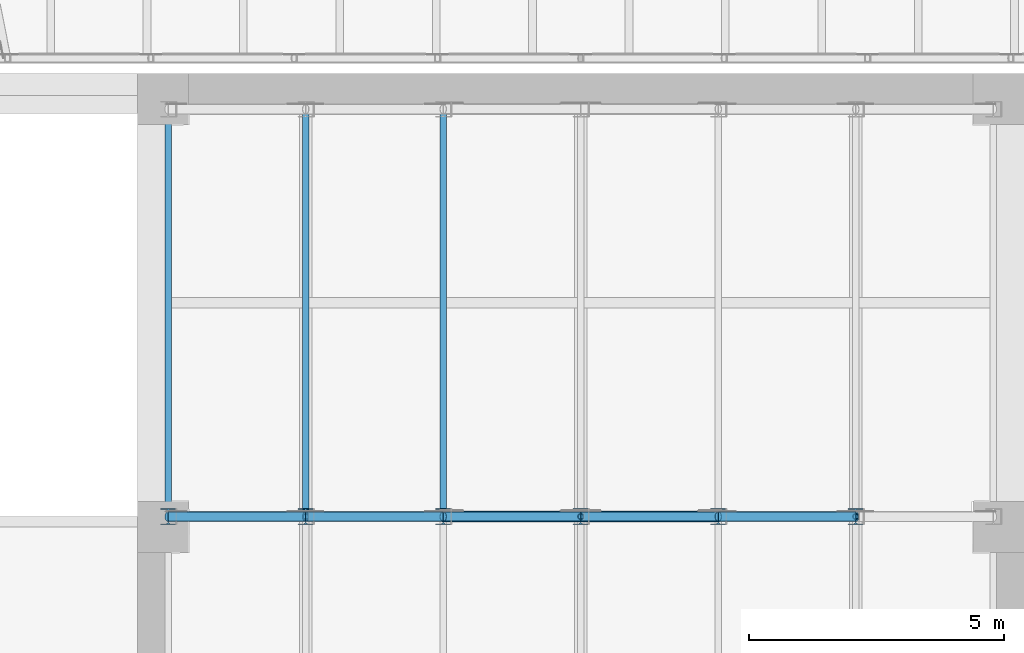
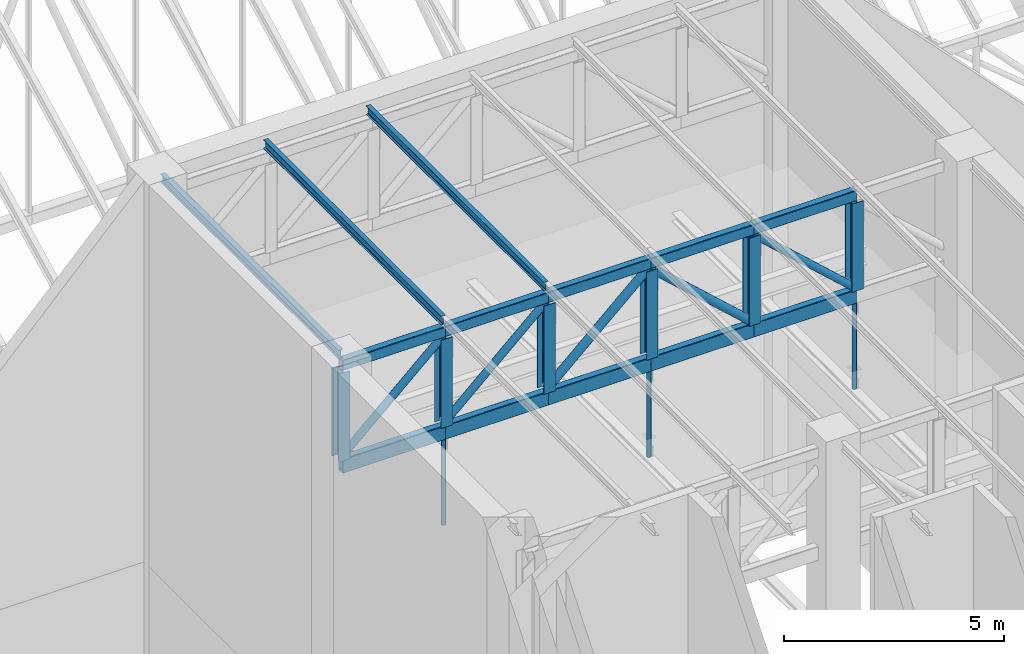
# One storey, part 8 of 68: 17 members, 10 beams.
"""IFC4 building model written with IfcOpenShell, lengths in metres."""

from ifc_helpers import new_model, si_unit, direction, frame, origin, origin_2d, place, context, subcontext, project, spatial, hollow_rectangle, hollow_circle, i_section, extrude, material, material_profile, profile_set, type_object, element, save


model = new_model("IFC4")

# Units and contexts
model_context = context("Model", 3, precision=1e-05, world=origin(), true_north=direction((0.0, 1.0)))
body_context = subcontext(model_context, "Body", "Model", "MODEL_VIEW")
ifc_project = project(units=[si_unit("LENGTHUNIT", "METRE"), si_unit("AREAUNIT", "SQUARE_METRE"), si_unit("VOLUMEUNIT", "CUBIC_METRE"), si_unit("PLANEANGLEUNIT", "RADIAN"), si_unit("MASSUNIT", "GRAM", prefix="KILO")], contexts=[model_context])

# Site, building, storey
site_placement = place(None, origin())
site = spatial("IfcSite", under=ifc_project, at=site_placement, CompositionType="ELEMENT")
building_placement = place(site_placement, origin())
building = spatial("IfcBuilding", under=site, at=building_placement, Name="Larchfold Concert Hall", CompositionType="ELEMENT")
storey_placement = place(building_placement, frame((0.0, 0.0, 28.800048828125)))
storey = spatial("IfcBuildingStorey", under=building, at=storey_placement, Name="L06", CompositionType="ELEMENT", Elevation=28.800048828125)

# Members
ifc_material_1 = material(Name="Steel S355J2H", Category="steel")
ifc_material_profile_1 = material_profile(ifc_material_1, hollow_circle(Radius=0.05712890625, WallThickness=0.00634765625, at=origin_2d()))
ifc_profile_set_1 = profile_set([ifc_material_profile_1], Name="Steel S355J2H")
member_type_1 = type_object("IfcMemberType", Name="Hanger CHS 114.3x6.3", PredefinedType="BRACE", material=ifc_profile_set_1)
for number, where, z_axis, x_axis, name in (
    (1, (37.199951171875, 51.0, 8.5), (0.0, 0.0, 1.0), (1.0, 0.0, 0.0), "Member SG3751"),
    (2, (42.60009765625, 51.0, 8.5), (0.0, 0.0, 1.0), (1.0, 0.0, 0.0), "Member SG4251"),
    (3, (48.0, 51.0, 8.5), (0.0, 0.0, 1.0), (1.0, 0.0, 0.0), "Member SG4851"),
):
    element("IfcMember", number, at=place(storey_placement, frame(where, z_axis=z_axis, x_axis=x_axis)), inside=storey, type_object=member_type_1, Name=name, PredefinedType="BRACE", context=body_context, shape_type="SweptSolid", body=[
        extrude(hollow_circle(Radius=0.05712890625, WallThickness=0.00634765625, at=origin_2d()), origin(), (0.0, 0.0, 1.0), 2.39990234375),
    ])
ifc_material_2 = material(Name="Steel S355", Category="steel")
ifc_material_profile_2 = material_profile(ifc_material_2, i_section(OverallWidth=0.1201171875, OverallDepth=0.239990234375, WebThickness=0.006103515625, FlangeThickness=0.009765625, FilletRadius=0.014892578125, at=origin_2d()))
ifc_profile_set_2 = profile_set([ifc_material_profile_2], Name="Steel S355")
member_type_2 = type_object("IfcMemberType", Name="Purlin IPE 240", PredefinedType="PURLIN", material=ifc_profile_set_2)
for number, where, z_axis, x_axis, name in (
    (4, (34.5, 51.0, 14.169921875), (0.0, 1.0, 0.0), (-1.0, 0.0, 0.0), "Member SP15"),
    (5, (37.199951171875, 51.0, 14.169921875), (0.0, 1.0, 0.0), (-1.0, 0.0, 0.0), "Member SP16"),
    (6, (39.89990234375, 51.0, 14.169921875), (0.0, 1.0, 0.0), (-1.0, 0.0, 0.0), "Member SP17"),
):
    element("IfcMember", number, at=place(storey_placement, frame(where, z_axis=z_axis, x_axis=x_axis)), inside=storey, type_object=member_type_2, Name=name, PredefinedType="PURLIN", context=body_context, shape_type="SweptSolid", body=[
        extrude(i_section(OverallWidth=0.1201171875, OverallDepth=0.239990234375, WebThickness=0.006103515625, FlangeThickness=0.009765625, FilletRadius=0.014892578125, at=origin_2d()), origin(), (0.0, 0.0, 1.0), 8.10009765625),
    ])

# Beams
ifc_material_3 = material(Name="Steel S355J2H", Category="steel")
ifc_material_profile_3 = material_profile(ifc_material_3, hollow_rectangle(XDim=0.199951171875, YDim=0.300048828125, WallThickness=0.012451171875, InnerFilletRadius=0.018798828125, OuterFilletRadius=0.03125, at=origin_2d()))
ifc_profile_set_3 = profile_set([ifc_material_profile_3], Name="Steel S355J2H")
beam_type_1 = type_object("IfcBeamType", Name="Truss chord RHS 300x200x12.5", PredefinedType="BEAM", material=ifc_profile_set_3)
for number, where, z_axis, x_axis, name in (
    (7, (34.5, 51.0, 13.89990234375), (1.0, 0.0, 0.0), (0.0, 1.0, 0.0), "Beam SR3T01"),
    (8, (37.199951171875, 51.0, 13.89990234375), (1.0, 0.0, 0.0), (0.0, 1.0, 0.0), "Beam SR3T02"),
):
    element("IfcBeam", number, at=place(storey_placement, frame(where, z_axis=z_axis, x_axis=x_axis)), inside=storey, type_object=beam_type_1, Name=name, PredefinedType="BEAM", context=body_context, shape_type="SweptSolid", body=[
        extrude(hollow_rectangle(XDim=0.199951171875, YDim=0.300048828125, WallThickness=0.012451171875, InnerFilletRadius=0.018798828125, OuterFilletRadius=0.03125, at=origin_2d()), origin(), (0.0, 0.0, 1.0), 2.699951171875),
    ])
beam_1_placement = place(storey_placement, frame((39.89990234375, 51.0, 13.89990234375), z_axis=(1.0, 0.0, 0.0), x_axis=(0.0, 1.0, 0.0)))
element("IfcBeam", 9, at=beam_1_placement, inside=storey, type_object=beam_type_1, Name="Beam SR3T03", PredefinedType="BEAM", context=body_context, shape_type="SweptSolid", body=[
    extrude(hollow_rectangle(XDim=0.199951171875, YDim=0.300048828125, WallThickness=0.012451171875, InnerFilletRadius=0.018798828125, OuterFilletRadius=0.03125, at=origin_2d()), origin(), (0.0, 0.0, 1.0), 2.7001953125),
])
for number, where, z_axis, x_axis, name in (
    (10, (42.60009765625, 51.0, 13.89990234375), (1.0, 0.0, 0.0), (0.0, 1.0, 0.0), "Beam SR3T04"),
    (11, (45.300048828125, 51.0, 13.89990234375), (1.0, 0.0, 0.0), (0.0, 1.0, 0.0), "Beam SR3T05"),
):
    element("IfcBeam", number, at=place(storey_placement, frame(where, z_axis=z_axis, x_axis=x_axis)), inside=storey, type_object=beam_type_1, Name=name, PredefinedType="BEAM", context=body_context, shape_type="SweptSolid", body=[
        extrude(hollow_rectangle(XDim=0.199951171875, YDim=0.300048828125, WallThickness=0.012451171875, InnerFilletRadius=0.018798828125, OuterFilletRadius=0.03125, at=origin_2d()), origin(), (0.0, 0.0, 1.0), 2.699951171875),
    ])
ifc_material_4 = material(Name="Steel S355J2H", Category="steel")
ifc_material_profile_4 = material_profile(ifc_material_4, hollow_rectangle(XDim=0.199951171875, YDim=0.39990234375, WallThickness=0.012451171875, InnerFilletRadius=0.018798828125, OuterFilletRadius=0.03125, at=origin_2d()))
ifc_profile_set_4 = profile_set([ifc_material_profile_4], Name="Steel S355J2H")
beam_type_2 = type_object("IfcBeamType", Name="Truss chord RHS 400x200x12.5", PredefinedType="BEAM", material=ifc_profile_set_4)
for number, where, z_axis, x_axis, name in (
    (12, (34.5, 51.0, 11.099853515625), (1.0, 0.0, 0.0), (0.0, 1.0, 0.0), "Beam SR3B01"),
    (13, (37.199951171875, 51.0, 11.099853515625), (1.0, 0.0, 0.0), (0.0, 1.0, 0.0), "Beam SR3B02"),
):
    element("IfcBeam", number, at=place(storey_placement, frame(where, z_axis=z_axis, x_axis=x_axis)), inside=storey, type_object=beam_type_2, Name=name, PredefinedType="BEAM", context=body_context, shape_type="SweptSolid", body=[
        extrude(hollow_rectangle(XDim=0.199951171875, YDim=0.39990234375, WallThickness=0.012451171875, InnerFilletRadius=0.018798828125, OuterFilletRadius=0.03125, at=origin_2d()), origin(), (0.0, 0.0, 1.0), 2.699951171875),
    ])
beam_2_placement = place(storey_placement, frame((39.89990234375, 51.0, 11.099853515625), z_axis=(1.0, 0.0, 0.0), x_axis=(0.0, 1.0, 0.0)))
element("IfcBeam", 14, at=beam_2_placement, inside=storey, type_object=beam_type_2, Name="Beam SR3B03", PredefinedType="BEAM", context=body_context, shape_type="SweptSolid", body=[
    extrude(hollow_rectangle(XDim=0.199951171875, YDim=0.39990234375, WallThickness=0.012451171875, InnerFilletRadius=0.018798828125, OuterFilletRadius=0.03125, at=origin_2d()), origin(), (0.0, 0.0, 1.0), 2.7001953125),
])
for number, where, z_axis, x_axis, name in (
    (15, (42.60009765625, 51.0, 11.099853515625), (1.0, 0.0, 0.0), (0.0, 1.0, 0.0), "Beam SR3B04"),
    (16, (45.300048828125, 51.0, 11.099853515625), (1.0, 0.0, 0.0), (0.0, 1.0, 0.0), "Beam SR3B05"),
):
    element("IfcBeam", number, at=place(storey_placement, frame(where, z_axis=z_axis, x_axis=x_axis)), inside=storey, type_object=beam_type_2, Name=name, PredefinedType="BEAM", context=body_context, shape_type="SweptSolid", body=[
        extrude(hollow_rectangle(XDim=0.199951171875, YDim=0.39990234375, WallThickness=0.012451171875, InnerFilletRadius=0.018798828125, OuterFilletRadius=0.03125, at=origin_2d()), origin(), (0.0, 0.0, 1.0), 2.699951171875),
    ])

# Members
ifc_material_5 = material(Name="Steel S355", Category="steel")
ifc_material_profile_5 = material_profile(ifc_material_5, i_section(OverallWidth=0.300048828125, OverallDepth=0.31005859375, WebThickness=0.009033203125, FlangeThickness=0.015380859375, FilletRadius=0.027099609375, at=origin_2d()))
ifc_profile_set_5 = profile_set([ifc_material_profile_5], Name="Steel S355")
member_type_3 = type_object("IfcMemberType", Name="Truss post HEA 320", PredefinedType="POST", material=ifc_profile_set_5)
for number, where, z_axis, x_axis, name in (
    (17, (34.5, 51.0, 11.300048828125), (0.0, 0.0, 1.0), (1.0, 0.0, 0.0), "Member SR3V01"),
    (18, (37.199951171875, 51.0, 11.300048828125), (0.0, 0.0, 1.0), (1.0, 0.0, 0.0), "Member SR3V02"),
    (19, (39.89990234375, 51.0, 11.300048828125), (0.0, 0.0, 1.0), (1.0, 0.0, 0.0), "Member SR3V03"),
    (20, (42.60009765625, 51.0, 11.300048828125), (0.0, 0.0, 1.0), (1.0, 0.0, 0.0), "Member SR3V04"),
    (21, (45.300048828125, 51.0, 11.300048828125), (0.0, 0.0, 1.0), (1.0, 0.0, 0.0), "Member SR3V05"),
    (22, (48.0, 51.0, 11.300048828125), (0.0, 0.0, 1.0), (1.0, 0.0, 0.0), "Member SR3V06"),
):
    element("IfcMember", number, at=place(storey_placement, frame(where, z_axis=z_axis, x_axis=x_axis)), inside=storey, type_object=member_type_3, Name=name, PredefinedType="POST", context=body_context, shape_type="SweptSolid", body=[
        extrude(i_section(OverallWidth=0.300048828125, OverallDepth=0.31005859375, WebThickness=0.009033203125, FlangeThickness=0.015380859375, FilletRadius=0.027099609375, at=origin_2d()), origin(), (0.0, 0.0, 1.0), 2.449951171875),
    ])
ifc_material_6 = material(Name="Steel S355J2H", Category="steel")
ifc_material_profile_6 = material_profile(ifc_material_6, hollow_circle(Radius=0.096923828125, WallThickness=0.008056640625, at=origin_2d()))
ifc_profile_set_6 = profile_set([ifc_material_profile_6], Name="Steel S355J2H")
member_type_4 = type_object("IfcMemberType", Name="Truss web CHS 193.7x8", PredefinedType="BRACE", material=ifc_profile_set_6)
for number, where, z_axis, x_axis, name in (
    (23, (34.5, 51.0, 11.300048828125), (0.740560922263, 0.0, 0.671989226414), (0.0, 1.0, 0.0), "Member SR3D01"),
    (24, (37.199951171875, 51.0, 11.300048828125), (0.740560922263, 0.0, 0.671989226414), (0.0, 1.0, 0.0), "Member SR3D02"),
    (25, (45.300048828125, 51.0, 13.75), (0.740560922263, 0.0, -0.671989226414), (0.0, 1.0, 0.0), "Member SR3D05"),
):
    element("IfcMember", number, at=place(storey_placement, frame(where, z_axis=z_axis, x_axis=x_axis)), inside=storey, type_object=member_type_4, Name=name, PredefinedType="BRACE", context=body_context, shape_type="SweptSolid", body=[
        extrude(hollow_circle(Radius=0.096923828125, WallThickness=0.008056640625, at=origin_2d()), origin(), (0.0, 0.0, 1.0), 3.645751953125),
    ])
ifc_material_7 = material(Name="Steel S355J2H", Category="steel")
ifc_material_profile_7 = material_profile(ifc_material_7, hollow_circle(Radius=0.109619140625, WallThickness=0.010009765625, at=origin_2d()))
ifc_profile_set_7 = profile_set([ifc_material_profile_7], Name="Steel S355J2H")
member_type_5 = type_object("IfcMemberType", Name="Truss web CHS 219.1x10", PredefinedType="BRACE", material=ifc_profile_set_7)
member_1_placement = place(storey_placement, frame((39.89990234375, 51.0, 11.300048828125), z_axis=(0.740591159162, 0.0, 0.671955902549), x_axis=(0.0, 1.0, 0.0)))
element("IfcMember", 26, at=member_1_placement, inside=storey, type_object=member_type_5, Name="Member SR3D03", PredefinedType="BRACE", context=body_context, shape_type="SweptSolid", body=[
    extrude(hollow_circle(Radius=0.109619140625, WallThickness=0.010009765625, at=origin_2d()), origin(), (0.0, 0.0, 1.0), 3.64599609375),
])
member_2_placement = place(storey_placement, frame((42.60009765625, 51.0, 13.75), z_axis=(0.740560922263, 0.0, -0.671989226414), x_axis=(0.0, 1.0, 0.0)))
element("IfcMember", 27, at=member_2_placement, inside=storey, type_object=member_type_5, Name="Member SR3D04", PredefinedType="BRACE", context=body_context, shape_type="SweptSolid", body=[
    extrude(hollow_circle(Radius=0.109619140625, WallThickness=0.010009765625, at=origin_2d()), origin(), (0.0, 0.0, 1.0), 3.645751953125),
])

save(model, "model.ifc")
